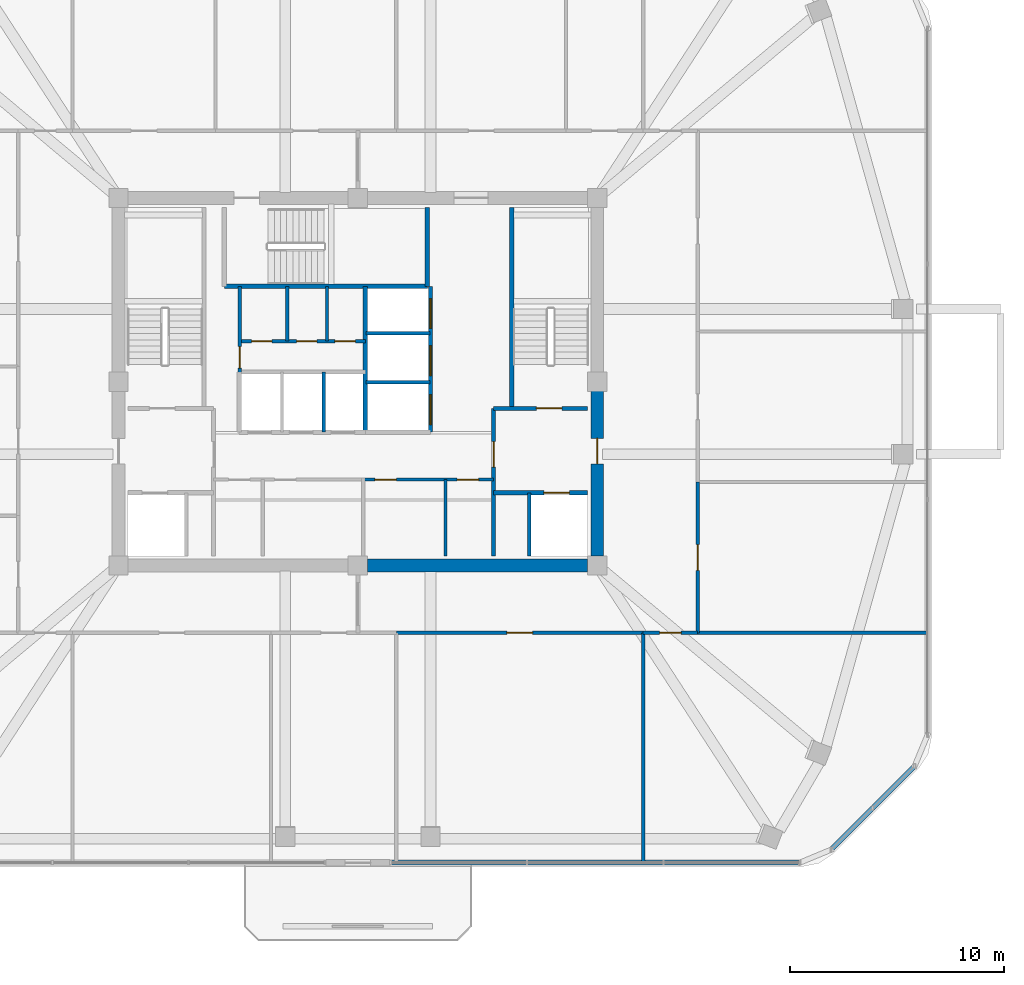
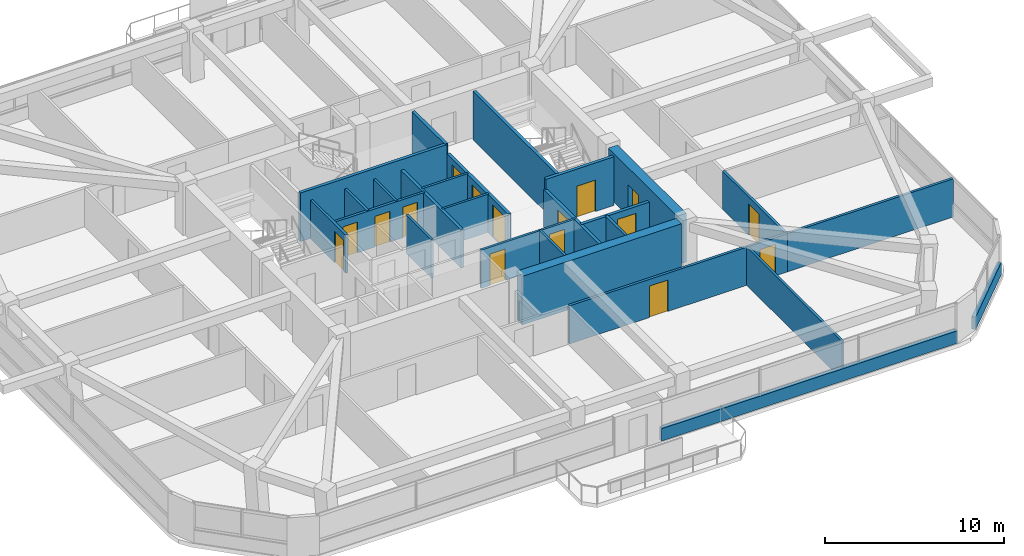
# One storey, part 9 of 13: 27 walls, 16 doors, 16 openings.
"""IFC4 building model written with IfcOpenShell, lengths in metres."""

from ifc_helpers import new_model, si_unit, derived_unit, direction, frame, frame_2d, origin, place, context, subcontext, project, spatial, rectangle, extrude, material, layer, layer_set, type_object, element, fill, save


model = new_model("IFC4")

# Units and contexts
model_context = context("Model", 3, precision=1e-05, world=origin(), true_north=direction((0.0, 1.0)))
body_context = subcontext(model_context, "Body", "Model", "MODEL_VIEW")
ifc_project = project(units=[si_unit("LENGTHUNIT", "METRE"), si_unit("AREAUNIT", "SQUARE_METRE"), si_unit("VOLUMEUNIT", "CUBIC_METRE"), si_unit("PLANEANGLEUNIT", "RADIAN"), si_unit("MASSUNIT", "GRAM", prefix="KILO"), derived_unit("THERMALTRANSMITTANCEUNIT", [(si_unit("POWERUNIT", "WATT"), 1), (si_unit("LENGTHUNIT", "METRE"), -2), (si_unit("THERMODYNAMICTEMPERATUREUNIT", "KELVIN"), -1)])], contexts=[model_context])

# Site, building, storey
site_placement = place(None, origin())
site = spatial("IfcSite", under=ifc_project, at=site_placement, CompositionType="ELEMENT")
building_placement = place(site_placement, origin())
building = spatial("IfcBuilding", under=site, at=building_placement, Name="Koralith Skygarden Medical Center", CompositionType="ELEMENT")
storey_placement = place(building_placement, frame((0.0, 0.0, 217.97998046875)))
storey = spatial("IfcBuildingStorey", under=building, at=storey_placement, Name="L56", CompositionType="ELEMENT", Elevation=217.97998046875)

# Wall, openings, doors
ifc_material_1 = material(Name="Gypsum Board Partition")
ifc_layer_1 = layer(ifc_material_1, 0.14990234375)
ifc_layer_set_1 = layer_set([ifc_layer_1], Name="Gypsum Board Partition")
wall_type_1 = type_object("IfcWallType", Name="Clinical Acoustic Partition 150", PredefinedType="PARTITIONING", material=ifc_layer_set_1)
wall_1_placement = place(storey_placement, frame((37.25, 21.320068359375, 0.0), z_axis=(0.0, 0.0, 1.0), x_axis=(1.0, 0.0, 0.0)))
wall_1 = element("IfcWall", 1, at=wall_1_placement, inside=storey, type_object=wall_type_1, Name="L56 Clinical Acoustic Partition 150 W-CORE-L56-FREED-MR-N", PredefinedType="PARTITIONING", context=body_context, shape_type="SweptSolid", body=[
    extrude(rectangle(XDim=6.10009765625, YDim=0.14990234375, at=frame_2d((3.050048828125, 0.0))), origin(), (0.0, 0.0, 1.0), 2.610107421875),
])
opening_1_placement = place(wall_1_placement, frame((0.550048828125, 0.0, 0.0)))
opening_1 = element("IfcOpeningElement", 2, at=opening_1_placement, cuts=wall_1, Name="Opening D-SUP", PredefinedType="OPENING", context=body_context, shape_type="SweptSolid", body=[
    extrude(rectangle(XDim=1.0, YDim=2.14990234375, at=frame_2d((0.5, 1.074951171875))), frame((0.0, 0.0849609375, 0.0), z_axis=(0.0, -1.0, 0.0), x_axis=(1.0, 0.0, 0.0)), (0.0, 0.0, 1.0), 0.169921875),
])
opening_2_placement = place(wall_1_placement, frame((4.39990234375, 0.0, 0.0)))
opening_2 = element("IfcOpeningElement", 3, at=opening_2_placement, cuts=wall_1, Name="Opening D-SUP", PredefinedType="OPENING", context=body_context, shape_type="SweptSolid", body=[
    extrude(rectangle(XDim=1.0, YDim=2.14990234375, at=frame_2d((0.5, 1.074951171875))), frame((0.0, 0.0849609375, 0.0), z_axis=(0.0, -1.0, 0.0), x_axis=(1.0, 0.0, 0.0)), (0.0, 0.0, 1.0), 0.169921875),
])
ifc_material_2 = material(Name="Aluminium 6063-T6", Category="aluminium")
door_type_1 = type_object("IfcDoorType", Name="Clinical Support Door D-SUP 1000", OperationType="NOTDEFINED", PredefinedType="DOOR", material=ifc_material_2)
door_1_placement = place(opening_1_placement, frame((1.0, 0.0, 0.0), z_axis=(0.0, 0.0, 1.0), x_axis=(-1.0, 0.0, 0.0)))
door_1 = element("IfcDoor", 4, at=door_1_placement, inside=storey, type_object=door_type_1, Name="L56 Satellite Pharmacy Door", OperationType="SINGLE_SWING_LEFT", OverallHeight=2.14990234375, OverallWidth=1.0, PredefinedType="DOOR", context=body_context, shape_type="SweptSolid", body=[
    extrude(rectangle(XDim=1.0, YDim=2.14990234375, at=frame_2d((0.5, 1.074951171875))), frame((0.0, 0.02490234375, 0.0), z_axis=(0.0, -1.0, 0.0), x_axis=(1.0, 0.0, 0.0)), (0.0, 0.0, 1.0), 0.050048828125),
])
fill(opening_1, door_1)
door_2_placement = place(opening_2_placement, frame((1.0, 0.0, 0.0), z_axis=(0.0, 0.0, 1.0), x_axis=(-1.0, 0.0, 0.0)))
door_2 = element("IfcDoor", 5, at=door_2_placement, inside=storey, type_object=door_type_1, Name="L56 Biomedical Equipment Door", OperationType="SINGLE_SWING_RIGHT", OverallHeight=2.14990234375, OverallWidth=1.0, PredefinedType="DOOR", context=body_context, shape_type="SweptSolid", body=[
    extrude(rectangle(XDim=1.0, YDim=2.14990234375, at=frame_2d((0.5, 1.074951171875))), frame((0.0, 0.02490234375, 0.0), z_axis=(0.0, -1.0, 0.0), x_axis=(1.0, 0.0, 0.0)), (0.0, 0.0, 1.0), 0.050048828125),
])
fill(opening_2, door_2)

# Walls
wall_2_placement = place(storey_placement, frame((41.10009765625, 17.75, 0.0), z_axis=(0.0, 0.0, 1.0), x_axis=(0.0, 1.0, 0.0)))
element("IfcWall", 6, at=wall_2_placement, inside=storey, type_object=wall_type_1, Name="L56 Clinical Acoustic Partition 150 W-CORE-L56-FREED-MR-M", PredefinedType="PARTITIONING", context=body_context, shape_type="SweptSolid", body=[
    extrude(rectangle(XDim=3.570068359375, YDim=0.14990234375, at=frame_2d((1.78515625, 0.0))), origin(), (0.0, 0.0, 1.0), 2.610107421875),
])
for number, where, z_axis, x_axis, name in (
    (7, (33.699951171875, 27.800048828125, 0.0), (0.0, 0.0, 1.0), (0.0, 1.0, 0.0), "L56 Clinical Acoustic Partition 150 W-CORE-L56-FLEX-V2A"),
    (8, (35.56005859375, 27.800048828125, 0.0), (0.0, 0.0, 1.0), (0.0, 1.0, 0.0), "L56 Clinical Acoustic Partition 150 W-CORE-L56-FLEX-V2B"),
):
    element("IfcWall", number, at=place(storey_placement, frame(where, z_axis=z_axis, x_axis=x_axis)), inside=storey, type_object=wall_type_1, Name=name, PredefinedType="PARTITIONING", context=body_context, shape_type="SweptSolid", body=[
        extrude(rectangle(XDim=2.56005859375, YDim=0.14990234375, at=frame_2d((1.280029296875, 0.0))), origin(), (0.0, 0.0, 1.0), 2.610107421875),
    ])
wall_3_placement = place(storey_placement, frame((50.35009765625, 14.14990234375, 0.0), z_axis=(0.0, 0.0, 1.0), x_axis=(0.0, -1.0, 0.0)))
element("IfcWall", 9, at=wall_3_placement, inside=storey, type_object=wall_type_1, Name="L56 Clinical Acoustic Partition 150 W-PART-L56-S-04", PredefinedType="PARTITIONING", context=body_context, shape_type="SweptSolid", body=[
    extrude(rectangle(XDim=10.73486328125, YDim=0.14990234375, at=frame_2d((5.367431640625, 0.0))), origin(), (0.0, 0.0, 1.0), 2.610107421875),
])
ifc_layer_2 = layer(ifc_material_1, 0.1650390625)
ifc_layer_set_2 = layer_set([ifc_layer_2], Name="Gypsum Board Partition")
wall_type_2 = type_object("IfcWallType", Name="Clinical Corridor Partition 165", PredefinedType="PARTITIONING", material=ifc_layer_set_2)
wall_4_placement = place(storey_placement, frame((52.89990234375, 14.14990234375, 0.0), z_axis=(0.0, 0.0, 1.0), x_axis=(1.0, 0.0, 0.0)))
element("IfcWall", 10, at=wall_4_placement, inside=storey, type_object=wall_type_2, Name="L56 Clinical Corridor Partition 165 W-WB-L56-SE", PredefinedType="PARTITIONING", context=body_context, shape_type="SweptSolid", body=[
    extrude(rectangle(XDim=10.739013671875, YDim=0.1650390625, at=frame_2d((5.36962890625, 0.0))), origin(), (0.0, 0.0, 1.0), 2.610107421875),
])

# Wall, opening, door
wall_5_placement = place(storey_placement, frame((38.800048828125, 14.14990234375, 0.0), z_axis=(0.0, 0.0, 1.0), x_axis=(1.0, 0.0, 0.0)))
wall_5 = element("IfcWall", 11, at=wall_5_placement, inside=storey, type_object=wall_type_2, Name="L56 Clinical Corridor Partition 165 W-CORR-L56-S-04", PredefinedType="PARTITIONING", context=body_context, shape_type="SweptSolid", body=[
    extrude(rectangle(XDim=11.550048828125, YDim=0.1650390625, at=frame_2d((5.77490234375, 0.0))), origin(), (0.0, 0.0, 1.0), 2.610107421875),
])
opening_3_placement = place(wall_5_placement, frame((5.175048828125, 0.0, 0.0)))
opening_3 = element("IfcOpeningElement", 12, at=opening_3_placement, cuts=wall_5, Name="Opening D-CLN", PredefinedType="OPENING", context=body_context, shape_type="SweptSolid", body=[
    extrude(rectangle(XDim=1.199951171875, YDim=2.14990234375, at=frame_2d((0.60009765625, 1.074951171875))), frame((0.0, 0.092529296875, 0.0), z_axis=(0.0, -1.0, 0.0), x_axis=(1.0, 0.0, 0.0)), (0.0, 0.0, 1.0), 0.18505859375),
])
door_type_2 = type_object("IfcDoorType", Name="Clinical Corridor Door D-CLN 1200", OperationType="NOTDEFINED", PredefinedType="DOOR", material=ifc_material_2)
door_3_placement = place(opening_3_placement, frame((1.199951171875, 0.0, 0.0), z_axis=(0.0, 0.0, 1.0), x_axis=(-1.0, 0.0, 0.0)))
door_3 = element("IfcDoor", 13, at=door_3_placement, inside=storey, type_object=door_type_2, Name="L56 Transplant Coordinator Office 10 Door", OperationType="SINGLE_SWING_LEFT", OverallHeight=2.14990234375, OverallWidth=1.199951171875, PredefinedType="DOOR", context=body_context, shape_type="SweptSolid", body=[
    extrude(rectangle(XDim=1.199951171875, YDim=2.14990234375, at=frame_2d((0.60009765625, 1.074951171875))), frame((0.0, 0.02490234375, 0.0), z_axis=(0.0, -1.0, 0.0), x_axis=(1.0, 0.0, 0.0)), (0.0, 0.0, 1.0), 0.050048828125),
])
fill(opening_3, door_3)

wall_6_placement = place(storey_placement, frame((50.35009765625, 14.14990234375, 0.0), z_axis=(0.0, 0.0, 1.0), x_axis=(1.0, 0.0, 0.0)))
wall_6 = element("IfcWall", 14, at=wall_6_placement, inside=storey, type_object=wall_type_2, Name="L56 Clinical Corridor Partition 165 W-CORR-L56-S-05", PredefinedType="PARTITIONING", context=body_context, shape_type="SweptSolid", body=[
    extrude(rectangle(XDim=2.5498046875, YDim=0.1650390625, at=frame_2d((1.27490234375, 0.0))), origin(), (0.0, 0.0, 1.0), 2.610107421875),
])
opening_4_placement = place(wall_6_placement, frame((0.77490234375, 0.0, 0.0)))
opening_4 = element("IfcOpeningElement", 15, at=opening_4_placement, cuts=wall_6, Name="Opening D-SUP", PredefinedType="OPENING", context=body_context, shape_type="SweptSolid", body=[
    extrude(rectangle(XDim=1.0, YDim=2.14990234375, at=frame_2d((0.5, 1.074951171875))), frame((0.0, 0.092529296875, 0.0), z_axis=(0.0, -1.0, 0.0), x_axis=(1.0, 0.0, 0.0)), (0.0, 0.0, 1.0), 0.18505859375),
])
door_4_placement = place(opening_4_placement, frame((1.0, 0.0, 0.0), z_axis=(0.0, 0.0, 1.0), x_axis=(-1.0, 0.0, 0.0)))
door_4 = element("IfcDoor", 16, at=door_4_placement, inside=storey, type_object=door_type_1, Name="L56 Transplant Family Resource Lounge 11 Door", OperationType="SINGLE_SWING_RIGHT", OverallHeight=2.14990234375, OverallWidth=1.0, PredefinedType="DOOR", context=body_context, shape_type="SweptSolid", body=[
    extrude(rectangle(XDim=1.0, YDim=2.14990234375, at=frame_2d((0.5, 1.074951171875))), frame((0.0, 0.02490234375, 0.0), z_axis=(0.0, -1.0, 0.0), x_axis=(1.0, 0.0, 0.0)), (0.0, 0.0, 1.0), 0.050048828125),
])
fill(opening_4, door_4)

wall_7_placement = place(storey_placement, frame((52.89990234375, 14.14990234375, 0.0), z_axis=(0.0, 0.0, 1.0), x_axis=(0.0, 1.0, 0.0)))
wall_7 = element("IfcWall", 17, at=wall_7_placement, inside=storey, type_object=wall_type_2, Name="L56 Clinical Corridor Partition 165 W-CORR-L56-E-01", PredefinedType="PARTITIONING", context=body_context, shape_type="SweptSolid", body=[
    extrude(rectangle(XDim=7.050048828125, YDim=0.1650390625, at=frame_2d((3.52490234375, 0.0))), origin(), (0.0, 0.0, 1.0), 2.610107421875),
])
opening_5_placement = place(wall_7_placement, frame((2.925048828125, 0.0, 0.0)))
opening_5 = element("IfcOpeningElement", 18, at=opening_5_placement, cuts=wall_7, Name="Opening D-CLN", PredefinedType="OPENING", context=body_context, shape_type="SweptSolid", body=[
    extrude(rectangle(XDim=1.199951171875, YDim=2.14990234375, at=frame_2d((0.60009765625, 1.074951171875))), frame((0.0, 0.092529296875, 0.0), z_axis=(0.0, -1.0, 0.0), x_axis=(1.0, 0.0, 0.0)), (0.0, 0.0, 1.0), 0.18505859375),
])
door_5_placement = place(opening_5_placement, origin())
door_5 = element("IfcDoor", 19, at=door_5_placement, inside=storey, type_object=door_type_2, Name="L56 Transplant Family Resource Lounge 15 Door", OperationType="SINGLE_SWING_RIGHT", OverallHeight=2.14990234375, OverallWidth=1.199951171875, PredefinedType="DOOR", context=body_context, shape_type="SweptSolid", body=[
    extrude(rectangle(XDim=1.199951171875, YDim=2.14990234375, at=frame_2d((0.60009765625, 1.074951171875))), frame((0.0, 0.02490234375, 0.0), z_axis=(0.0, -1.0, 0.0), x_axis=(1.0, 0.0, 0.0)), (0.0, 0.0, 1.0), 0.050048828125),
])
fill(opening_5, door_5)

ifc_layer_3 = layer(ifc_material_1, 0.199951171875)
ifc_layer_set_3 = layer_set([ifc_layer_3], Name="Gypsum Board Partition")
wall_type_3 = type_object("IfcWallType", Name="Fire Shaft Wall 200", PredefinedType="SOLIDWALL", material=ifc_layer_set_3)
wall_8_placement = place(storey_placement, frame((43.35009765625, 20.699951171875, 0.0), z_axis=(0.0, 0.0, 1.0), x_axis=(1.0, 0.0, 0.0)))
wall_8 = element("IfcWall", 20, at=wall_8_placement, inside=storey, type_object=wall_type_3, Name="L56 Fire Shaft Wall 200 W-CORE-L56-FF2-N", PredefinedType="SOLIDWALL", context=body_context, shape_type="SweptSolid", body=[
    extrude(rectangle(XDim=4.39990234375, YDim=0.199951171875, at=frame_2d((2.199951171875, 0.0))), origin(), (0.0, 0.0, 1.0), 2.610107421875),
])
opening_6_placement = place(wall_8_placement, frame((2.35009765625, 0.0, 0.0)))
opening_6 = element("IfcOpeningElement", 21, at=opening_6_placement, cuts=wall_8, Name="Opening LD-FF", PredefinedType="OPENING", context=body_context, shape_type="SweptSolid", body=[
    extrude(rectangle(XDim=1.199951171875, YDim=2.14990234375, at=frame_2d((0.60009765625, 1.074951171875))), frame((0.0, 0.10986328125, 0.0), z_axis=(0.0, -1.0, 0.0), x_axis=(1.0, 0.0, 0.0)), (0.0, 0.0, 1.0), 0.219970703125),
])
ifc_material_3 = material(Name="Steel ASTM A500 Grade C", Category="steel")
door_type_3 = type_object("IfcDoorType", Name="Fire Lift Sliding Landing Door LD-FF 1200", OperationType="NOTDEFINED", PredefinedType="DOOR", material=ifc_material_3)
door_6_placement = place(opening_6_placement, origin())
door_6 = element("IfcDoor", 22, at=door_6_placement, inside=storey, type_object=door_type_3, Name="L56 Fire Service Elevator FF2 Landing Door", OperationType="SLIDING_TO_RIGHT", OverallHeight=2.14990234375, OverallWidth=1.199951171875, PredefinedType="DOOR", context=body_context, shape_type="SweptSolid", body=[
    extrude(rectangle(XDim=1.199951171875, YDim=2.14990234375, at=frame_2d((0.60009765625, 1.074951171875))), frame((0.0, 0.02490234375, 0.0), z_axis=(0.0, -1.0, 0.0), x_axis=(1.0, 0.0, 0.0)), (0.0, 0.0, 1.0), 0.050048828125),
])
fill(opening_6, door_6)

wall_9_placement = place(storey_placement, frame((43.35009765625, 17.75, 0.0), z_axis=(0.0, 0.0, 1.0), x_axis=(0.0, 1.0, 0.0)))
wall_9 = element("IfcWall", 23, at=wall_9_placement, inside=storey, type_object=wall_type_3, Name="L56 Fire Shaft Wall 200 W-CORE-L56-FSAEE-W", PredefinedType="SOLIDWALL", context=body_context, shape_type="SweptSolid", body=[
    extrude(rectangle(XDim=6.89990234375, YDim=0.199951171875, at=frame_2d((3.449951171875, 0.0))), origin(), (0.0, 0.0, 1.0), 2.610107421875),
])
opening_7_placement = place(wall_9_placement, frame((4.14990234375, 0.0, 0.0)))
opening_7 = element("IfcOpeningElement", 24, at=opening_7_placement, cuts=wall_9, Name="Opening D-ST60", PredefinedType="OPENING", context=body_context, shape_type="SweptSolid", body=[
    extrude(rectangle(XDim=1.199951171875, YDim=2.14990234375, at=frame_2d((0.60009765625, 1.074951171875))), frame((0.0, 0.10986328125, 0.0), z_axis=(0.0, -1.0, 0.0), x_axis=(1.0, 0.0, 0.0)), (0.0, 0.0, 1.0), 0.219970703125),
])
door_type_4 = type_object("IfcDoorType", Name="Smokeproof Stair Fire Door FD60S 1200", OperationType="NOTDEFINED", PredefinedType="DOOR", material=ifc_material_3)
door_7_placement = place(opening_7_placement, frame((1.199951171875, 0.0, 0.0), z_axis=(0.0, 0.0, 1.0), x_axis=(-1.0, 0.0, 0.0)))
door_7 = element("IfcDoor", 25, at=door_7_placement, inside=storey, type_object=door_type_4, Name="L56 East Firefighting Lobby Inner Fire Door", OperationType="SINGLE_SWING_RIGHT", OverallHeight=2.14990234375, OverallWidth=1.199951171875, PredefinedType="DOOR", context=body_context, shape_type="SweptSolid", body=[
    extrude(rectangle(XDim=1.199951171875, YDim=2.14990234375, at=frame_2d((0.60009765625, 1.074951171875))), frame((0.0, 0.02490234375, 0.0), z_axis=(0.0, -1.0, 0.0), x_axis=(1.0, 0.0, 0.0)), (0.0, 0.0, 1.0), 0.050048828125),
])
fill(opening_7, door_7)

# Wall
wall_10_placement = place(storey_placement, frame((37.35009765625, 23.5400390625, 0.0), z_axis=(0.0, 0.0, 1.0), x_axis=(0.0, 1.0, 0.0)))
element("IfcWall", 26, at=wall_10_placement, inside=storey, type_object=wall_type_3, Name="L56 Fire Shaft Wall 200 W-CORE-L56-SV-W", PredefinedType="SOLIDWALL", context=body_context, shape_type="SweptSolid", body=[
    extrude(rectangle(XDim=6.820068359375, YDim=0.199951171875, at=frame_2d((3.41015625, 0.0))), origin(), (0.0, 0.0, 1.0), 2.610107421875),
])

# Wall, openings, doors
wall_11_placement = place(storey_placement, frame((40.39990234375, 23.5400390625, 0.0), z_axis=(0.0, 0.0, 1.0), x_axis=(0.0, 1.0, 0.0)))
wall_11 = element("IfcWall", 27, at=wall_11_placement, inside=storey, type_object=wall_type_3, Name="L56 Fire Shaft Wall 200 W-CORE-L56-SV-E", PredefinedType="SOLIDWALL", context=body_context, shape_type="SweptSolid", body=[
    extrude(rectangle(XDim=6.820068359375, YDim=0.199951171875, at=frame_2d((3.41015625, 0.0))), origin(), (0.0, 0.0, 1.0), 2.610107421875),
])
opening_8_placement = place(wall_11_placement, frame((0.35009765625, 0.0, 0.0)))
opening_8 = element("IfcOpeningElement", 28, at=opening_8_placement, cuts=wall_11, Name="Opening LD-SV", PredefinedType="OPENING", context=body_context, shape_type="SweptSolid", body=[
    extrude(rectangle(XDim=1.39990234375, YDim=2.199951171875, at=frame_2d((0.699951171875, 1.10009765625))), frame((0.0, 0.10986328125, 0.0), z_axis=(0.0, -1.0, 0.0), x_axis=(1.0, 0.0, 0.0)), (0.0, 0.0, 1.0), 0.219970703125),
])
opening_9_placement = place(wall_11_placement, frame((2.64990234375, 0.0, 0.0)))
opening_9 = element("IfcOpeningElement", 29, at=opening_9_placement, cuts=wall_11, Name="Opening LD-SV", PredefinedType="OPENING", context=body_context, shape_type="SweptSolid", body=[
    extrude(rectangle(XDim=1.39990234375, YDim=2.199951171875, at=frame_2d((0.699951171875, 1.10009765625))), frame((0.0, 0.10986328125, 0.0), z_axis=(0.0, -1.0, 0.0), x_axis=(1.0, 0.0, 0.0)), (0.0, 0.0, 1.0), 0.219970703125),
])
opening_10_placement = place(wall_11_placement, frame((4.85009765625, 0.0, 0.0)))
opening_10 = element("IfcOpeningElement", 30, at=opening_10_placement, cuts=wall_11, Name="Opening LD-SV", PredefinedType="OPENING", context=body_context, shape_type="SweptSolid", body=[
    extrude(rectangle(XDim=1.39990234375, YDim=2.199951171875, at=frame_2d((0.699951171875, 1.10009765625))), frame((0.0, 0.10986328125, 0.0), z_axis=(0.0, -1.0, 0.0), x_axis=(1.0, 0.0, 0.0)), (0.0, 0.0, 1.0), 0.219970703125),
])
door_type_5 = type_object("IfcDoorType", Name="Bed Lift Sliding Landing Door LD-SV 1400", OperationType="NOTDEFINED", PredefinedType="DOOR", material=ifc_material_3)
door_8_placement = place(opening_8_placement, origin())
door_8 = element("IfcDoor", 31, at=door_8_placement, inside=storey, type_object=door_type_5, Name="L56 Bed Elevator BD1 Landing Door", OperationType="SLIDING_TO_LEFT", OverallHeight=2.199951171875, OverallWidth=1.39990234375, PredefinedType="DOOR", context=body_context, shape_type="SweptSolid", body=[
    extrude(rectangle(XDim=1.39990234375, YDim=2.199951171875, at=frame_2d((0.699951171875, 1.10009765625))), frame((0.0, 0.02490234375, 0.0), z_axis=(0.0, -1.0, 0.0), x_axis=(1.0, 0.0, 0.0)), (0.0, 0.0, 1.0), 0.050048828125),
])
fill(opening_8, door_8)
door_9_placement = place(opening_9_placement, origin())
door_9 = element("IfcDoor", 32, at=door_9_placement, inside=storey, type_object=door_type_5, Name="L56 Service Elevator BD2 Landing Door", OperationType="SLIDING_TO_LEFT", OverallHeight=2.199951171875, OverallWidth=1.39990234375, PredefinedType="DOOR", context=body_context, shape_type="SweptSolid", body=[
    extrude(rectangle(XDim=1.39990234375, YDim=2.199951171875, at=frame_2d((0.699951171875, 1.10009765625))), frame((0.0, 0.02490234375, 0.0), z_axis=(0.0, -1.0, 0.0), x_axis=(1.0, 0.0, 0.0)), (0.0, 0.0, 1.0), 0.050048828125),
])
fill(opening_9, door_9)
door_10_placement = place(opening_10_placement, origin())
door_10 = element("IfcDoor", 33, at=door_10_placement, inside=storey, type_object=door_type_5, Name="L56 Trauma Elevator TR1 Landing Door", OperationType="SLIDING_TO_RIGHT", OverallHeight=2.199951171875, OverallWidth=1.39990234375, PredefinedType="DOOR", context=body_context, shape_type="SweptSolid", body=[
    extrude(rectangle(XDim=1.39990234375, YDim=2.199951171875, at=frame_2d((0.699951171875, 1.10009765625))), frame((0.0, 0.02490234375, 0.0), z_axis=(0.0, -1.0, 0.0), x_axis=(1.0, 0.0, 0.0)), (0.0, 0.0, 1.0), 0.050048828125),
])
fill(opening_10, door_10)

# Walls
ifc_material_4 = material(Name="Warm Oolitic Limestone Cladding", Category="masonry")
ifc_layer_4 = layer(ifc_material_4, 0.239990234375)
ifc_layer_set_4 = layer_set([ifc_layer_4], Name="Warm Oolitic Limestone Cladding")
wall_type_4 = type_object("IfcWallType", Name="Limestone Spandrel Sill Backup Wall 240", PredefinedType="SOLIDWALL", material=ifc_layer_set_4)
wall_12_placement = place(storey_placement, frame((38.5400390625, 3.39501953125, 0.0), z_axis=(0.0, 0.0, 1.0), x_axis=(1.0, 0.0, 0.0)))
element("IfcWall", 34, at=wall_12_placement, inside=storey, type_object=wall_type_4, Name="L56 Sill Spandrel S-R", PredefinedType="SOLIDWALL", context=body_context, shape_type="SweptSolid", body=[
    extrude(rectangle(XDim=19.14404296875, YDim=0.239990234375, at=frame_2d((9.572021484375, 0.0))), origin(), (0.0, 0.0, 1.0), 0.85009765625),
])
wall_13_placement = place(storey_placement, frame((59.135009765625, 3.9970703125, 0.0), z_axis=(0.0, 0.0, 1.0), x_axis=(0.707128783731, 0.707084777957, 0.0)))
element("IfcWall", 35, at=wall_13_placement, inside=storey, type_object=wall_type_4, Name="L56 Sill Spandrel SE", PredefinedType="SOLIDWALL", context=body_context, shape_type="SweptSolid", body=[
    extrude(rectangle(XDim=5.5478515625, YDim=0.239990234375, at=frame_2d((2.77392578125, 0.0))), origin(), (0.0, 0.0, 1.0), 0.85009765625),
])

# Wall, opening, door
ifc_layer_5 = layer(ifc_material_1, 0.1650390625)
ifc_layer_set_5 = layer_set([ifc_layer_5], Name="Gypsum Board Partition")
wall_type_5 = type_object("IfcWallType", Name="Plumbing Wet Wall 165", PredefinedType="PLUMBINGWALL", material=ifc_layer_set_5)
wall_14_placement = place(storey_placement, frame((31.47998046875, 26.320068359375, 0.0), z_axis=(0.0, 0.0, 1.0), x_axis=(0.0, 1.0, 0.0)))
wall_14 = element("IfcWall", 36, at=wall_14_placement, inside=storey, type_object=wall_type_5, Name="L56 Plumbing Wet Wall 165 W-CORE-L56-FLEX-W", PredefinedType="PLUMBINGWALL", context=body_context, shape_type="SweptSolid", body=[
    extrude(rectangle(XDim=4.0400390625, YDim=0.1650390625, at=frame_2d((2.02001953125, 0.0))), origin(), (0.0, 0.0, 1.0), 2.610107421875),
])
opening_11_placement = place(wall_14_placement, frame((0.219970703125, 0.0, 0.0)))
opening_11 = element("IfcOpeningElement", 37, at=opening_11_placement, cuts=wall_14, Name="Opening D-SUP", PredefinedType="OPENING", context=body_context, shape_type="SweptSolid", body=[
    extrude(rectangle(XDim=1.0, YDim=2.14990234375, at=frame_2d((0.5, 1.074951171875))), frame((0.0, 0.092529296875, 0.0), z_axis=(0.0, -1.0, 0.0), x_axis=(1.0, 0.0, 0.0)), (0.0, 0.0, 1.0), 0.18505859375),
])
door_11_placement = place(opening_11_placement, frame((1.0, 0.0, 0.0), z_axis=(0.0, 0.0, 1.0), x_axis=(-1.0, 0.0, 0.0)))
door_11 = element("IfcDoor", 38, at=door_11_placement, inside=storey, type_object=door_type_1, Name="L56 Core Service Alcove Door", OperationType="SINGLE_SWING_LEFT", OverallHeight=2.14990234375, OverallWidth=1.0, PredefinedType="DOOR", context=body_context, shape_type="SweptSolid", body=[
    extrude(rectangle(XDim=1.0, YDim=2.14990234375, at=frame_2d((0.5, 1.074951171875))), frame((0.0, 0.02490234375, 0.0), z_axis=(0.0, -1.0, 0.0), x_axis=(1.0, 0.0, 0.0)), (0.0, 0.0, 1.0), 0.050048828125),
])
fill(opening_11, door_11)

# Wall, openings, doors
wall_15_placement = place(storey_placement, frame((31.47998046875, 27.800048828125, 0.0), z_axis=(0.0, 0.0, 1.0), x_axis=(1.0, 0.0, 0.0)))
wall_15 = element("IfcWall", 39, at=wall_15_placement, inside=storey, type_object=wall_type_5, Name="L56 Plumbing Wet Wall 165 W-CORE-L56-FLEX-H2", PredefinedType="PLUMBINGWALL", context=body_context, shape_type="SweptSolid", body=[
    extrude(rectangle(XDim=5.8701171875, YDim=0.1650390625, at=frame_2d((2.93505859375, 0.0))), origin(), (0.0, 0.0, 1.0), 2.610107421875),
])
opening_12_placement = place(wall_15_placement, frame((0.550048828125, 0.0, 0.0)))
opening_12 = element("IfcOpeningElement", 40, at=opening_12_placement, cuts=wall_15, Name="Opening D-WC", PredefinedType="OPENING", context=body_context, shape_type="SweptSolid", body=[
    extrude(rectangle(XDim=0.949951171875, YDim=2.10009765625, at=frame_2d((0.47509765625, 1.050048828125))), frame((0.0, 0.092529296875, 0.0), z_axis=(0.0, -1.0, 0.0), x_axis=(1.0, 0.0, 0.0)), (0.0, 0.0, 1.0), 0.18505859375),
])
opening_13_placement = place(wall_15_placement, frame((2.64990234375, 0.0, 0.0)))
opening_13 = element("IfcOpeningElement", 41, at=opening_13_placement, cuts=wall_15, Name="Opening D-WC", PredefinedType="OPENING", context=body_context, shape_type="SweptSolid", body=[
    extrude(rectangle(XDim=0.949951171875, YDim=2.10009765625, at=frame_2d((0.47509765625, 1.050048828125))), frame((0.0, 0.092529296875, 0.0), z_axis=(0.0, -1.0, 0.0), x_axis=(1.0, 0.0, 0.0)), (0.0, 0.0, 1.0), 0.18505859375),
])
opening_14_placement = place(wall_15_placement, frame((4.449951171875, 0.0, 0.0)))
opening_14 = element("IfcOpeningElement", 42, at=opening_14_placement, cuts=wall_15, Name="Opening D-WC", PredefinedType="OPENING", context=body_context, shape_type="SweptSolid", body=[
    extrude(rectangle(XDim=0.949951171875, YDim=2.10009765625, at=frame_2d((0.47509765625, 1.050048828125))), frame((0.0, 0.092529296875, 0.0), z_axis=(0.0, -1.0, 0.0), x_axis=(1.0, 0.0, 0.0)), (0.0, 0.0, 1.0), 0.18505859375),
])
door_type_6 = type_object("IfcDoorType", Name="Accessible Toilet Door D-WC 950", OperationType="NOTDEFINED", PredefinedType="DOOR", material=ifc_material_2)
door_12_placement = place(opening_12_placement, origin())
door_12 = element("IfcDoor", 43, at=door_12_placement, inside=storey, type_object=door_type_6, Name="L56 Core Accessible WC Door", OperationType="SINGLE_SWING_LEFT", OverallHeight=2.10009765625, OverallWidth=0.949951171875, PredefinedType="DOOR", context=body_context, shape_type="SweptSolid", body=[
    extrude(rectangle(XDim=0.949951171875, YDim=2.10009765625, at=frame_2d((0.47509765625, 1.050048828125))), frame((0.0, 0.02490234375, 0.0), z_axis=(0.0, -1.0, 0.0), x_axis=(1.0, 0.0, 0.0)), (0.0, 0.0, 1.0), 0.050048828125),
])
fill(opening_12, door_12)
door_13_placement = place(opening_13_placement, origin())
door_13 = element("IfcDoor", 44, at=door_13_placement, inside=storey, type_object=door_type_6, Name="L56 Soiled Sluice Door", OperationType="SINGLE_SWING_LEFT", OverallHeight=2.10009765625, OverallWidth=0.949951171875, PredefinedType="DOOR", context=body_context, shape_type="SweptSolid", body=[
    extrude(rectangle(XDim=0.949951171875, YDim=2.10009765625, at=frame_2d((0.47509765625, 1.050048828125))), frame((0.0, 0.02490234375, 0.0), z_axis=(0.0, -1.0, 0.0), x_axis=(1.0, 0.0, 0.0)), (0.0, 0.0, 1.0), 0.050048828125),
])
fill(opening_13, door_13)
door_14_placement = place(opening_14_placement, origin())
door_14 = element("IfcDoor", 45, at=door_14_placement, inside=storey, type_object=door_type_6, Name="L56 Clean Linen Store Door", OperationType="SINGLE_SWING_RIGHT", OverallHeight=2.10009765625, OverallWidth=0.949951171875, PredefinedType="DOOR", context=body_context, shape_type="SweptSolid", body=[
    extrude(rectangle(XDim=0.949951171875, YDim=2.10009765625, at=frame_2d((0.47509765625, 1.050048828125))), frame((0.0, 0.02490234375, 0.0), z_axis=(0.0, -1.0, 0.0), x_axis=(1.0, 0.0, 0.0)), (0.0, 0.0, 1.0), 0.050048828125),
])
fill(opening_14, door_14)

# Walls
ifc_layer_6 = layer(ifc_material_1, 0.14990234375)
ifc_layer_set_6 = layer_set([ifc_layer_6], Name="Gypsum Board Partition")
wall_type_6 = type_object("IfcWallType", Name="Shaft Partition Wall 150", PredefinedType="PARTITIONING", material=ifc_layer_set_6)
wall_16_placement = place(storey_placement, frame((45.02001953125, 17.75, 0.0), z_axis=(0.0, 0.0, 1.0), x_axis=(0.0, 1.0, 0.0)))
element("IfcWall", 46, at=wall_16_placement, inside=storey, type_object=wall_type_6, Name="L56 Shaft Partition Wall 150 W-CORE-L56-RSRE-DIV", PredefinedType="PARTITIONING", context=body_context, shape_type="SweptSolid", body=[
    extrude(rectangle(XDim=2.949951171875, YDim=0.14990234375, at=frame_2d((1.47509765625, 0.0))), origin(), (0.0, 0.0, 1.0), 2.610107421875),
])
wall_17_placement = place(storey_placement, frame((35.39990234375, 23.5400390625, 0.0), z_axis=(0.0, 0.0, 1.0), x_axis=(0.0, 1.0, 0.0)))
element("IfcWall", 47, at=wall_17_placement, inside=storey, type_object=wall_type_6, Name="L56 Shaft Partition Wall 150 W-CORE-L56-PH-D2", PredefinedType="PARTITIONING", context=body_context, shape_type="SweptSolid", body=[
    extrude(rectangle(XDim=2.81005859375, YDim=0.14990234375, at=frame_2d((1.405029296875, 0.0))), origin(), (0.0, 0.0, 1.0), 2.610107421875),
])
for number, where, z_axis, x_axis, name in (
    (48, (37.3701171875, 25.8701171875, 0.0), (0.0, 0.0, 1.0), (1.0, 0.0, 0.0), "L56 Shaft Partition Wall 150 W-CORE-L56-SV-D1"),
    (49, (37.3701171875, 28.169921875, 0.0), (0.0, 0.0, 1.0), (1.0, 0.0, 0.0), "L56 Shaft Partition Wall 150 W-CORE-L56-SV-D2"),
):
    element("IfcWall", number, at=place(storey_placement, frame(where, z_axis=z_axis, x_axis=x_axis)), inside=storey, type_object=wall_type_6, Name=name, PredefinedType="PARTITIONING", context=body_context, shape_type="SweptSolid", body=[
        extrude(rectangle(XDim=3.009765625, YDim=0.14990234375, at=frame_2d((1.5048828125, 0.0))), origin(), (0.0, 0.0, 1.0), 2.610107421875),
    ])
ifc_material_5 = material(Name="Concrete C45/55", Category="concrete")
ifc_layer_7 = layer(ifc_material_5, 0.199951171875)
ifc_layer_set_7 = layer_set([ifc_layer_7], Name="Concrete C45/55")
wall_type_7 = type_object("IfcWallType", Name="Structural Stair Shaft Wall 200", PredefinedType="SHEAR", material=ifc_layer_set_7)
wall_18_placement = place(storey_placement, frame((44.199951171875, 24.64990234375, 0.0), z_axis=(0.0, 0.0, 1.0), x_axis=(0.0, 1.0, 0.0)))
element("IfcWall", 50, at=wall_18_placement, inside=storey, type_object=wall_type_7, Name="L56 Structural Stair Shaft Wall 200 W-CORE-L56-ST2-W", PredefinedType="SHEAR", context=body_context, shape_type="SweptSolid", body=[
    extrude(rectangle(XDim=9.400146484375, YDim=0.199951171875, at=frame_2d((4.7001953125, 0.0))), origin(), (0.0, 0.0, 1.0), 3.320068359375),
])

# Wall, opening, door
wall_19_placement = place(storey_placement, frame((43.35009765625, 24.64990234375, 0.0), z_axis=(0.0, 0.0, 1.0), x_axis=(1.0, 0.0, 0.0)))
wall_19 = element("IfcWall", 51, at=wall_19_placement, inside=storey, type_object=wall_type_7, Name="L56 Structural Stair Shaft Wall 200 W-CORE-L56-ST2-S", PredefinedType="SHEAR", context=body_context, shape_type="SweptSolid", body=[
    extrude(rectangle(XDim=4.39990234375, YDim=0.199951171875, at=frame_2d((2.199951171875, 0.0))), origin(), (0.0, 0.0, 1.0), 3.320068359375),
])
opening_15_placement = place(wall_19_placement, frame((2.0, 0.0, 0.0)))
opening_15 = element("IfcOpeningElement", 52, at=opening_15_placement, cuts=wall_19, Name="Opening D-ST60", PredefinedType="OPENING", context=body_context, shape_type="SweptSolid", body=[
    extrude(rectangle(XDim=1.199951171875, YDim=2.14990234375, at=frame_2d((0.60009765625, 1.074951171875))), frame((0.0, 0.10986328125, 0.0), z_axis=(0.0, -1.0, 0.0), x_axis=(1.0, 0.0, 0.0)), (0.0, 0.0, 1.0), 0.219970703125),
])
door_15_placement = place(opening_15_placement, origin())
door_15 = element("IfcDoor", 53, at=door_15_placement, inside=storey, type_object=door_type_4, Name="L56 Exit Stair ST2 Fire Door", OperationType="SINGLE_SWING_RIGHT", OverallHeight=2.14990234375, OverallWidth=1.199951171875, PredefinedType="DOOR", context=body_context, shape_type="SweptSolid", body=[
    extrude(rectangle(XDim=1.199951171875, YDim=2.14990234375, at=frame_2d((0.60009765625, 1.074951171875))), frame((0.0, 0.02490234375, 0.0), z_axis=(0.0, -1.0, 0.0), x_axis=(1.0, 0.0, 0.0)), (0.0, 0.0, 1.0), 0.050048828125),
])
fill(opening_15, door_15)

# Walls
wall_20_placement = place(storey_placement, frame((30.75, 30.360107421875, 0.0), z_axis=(0.0, 0.0, 1.0), x_axis=(1.0, 0.0, 0.0)))
element("IfcWall", 54, at=wall_20_placement, inside=storey, type_object=wall_type_7, Name="L56 Structural Stair Shaft Wall 200 W-CORE-L56-ST3-S", PredefinedType="SHEAR", context=body_context, shape_type="SweptSolid", body=[
    extrude(rectangle(XDim=9.5, YDim=0.199951171875, at=frame_2d((4.75, 0.0))), origin(), (0.0, 0.0, 1.0), 3.320068359375),
])
wall_21_placement = place(storey_placement, frame((40.25, 30.360107421875, 0.0), z_axis=(0.0, 0.0, 1.0), x_axis=(0.0, 1.0, 0.0)))
element("IfcWall", 55, at=wall_21_placement, inside=storey, type_object=wall_type_7, Name="L56 Structural Stair Shaft Wall 200 W-CORE-L56-ST3-E", PredefinedType="SHEAR", context=body_context, shape_type="SweptSolid", body=[
    extrude(rectangle(XDim=3.68994140625, YDim=0.199951171875, at=frame_2d((1.844970703125, 0.0))), origin(), (0.0, 0.0, 1.0), 3.320068359375),
])
ifc_material_6 = material(Name="Concrete C55/67", Category="concrete")
ifc_layer_8 = layer(ifc_material_6, 0.60009765625)
ifc_layer_set_8 = layer_set([ifc_layer_8], Name="Concrete C55/67")
wall_type_8 = type_object("IfcWallType", Name="Upper Core Shear Wall 600", PredefinedType="SHEAR", material=ifc_layer_set_8)
wall_22_placement = place(storey_placement, frame((37.445068359375, 17.300048828125, 0.0), z_axis=(0.0, 0.0, 1.0), x_axis=(1.0, 0.0, 0.0)))
element("IfcWall", 56, at=wall_22_placement, inside=storey, type_object=wall_type_8, Name="L56 Core Shear Wall Segment 2", PredefinedType="SHEAR", context=body_context, shape_type="SweptSolid", body=[
    extrude(rectangle(XDim=10.309814453125, YDim=0.60009765625, at=frame_2d((5.15478515625, 0.0))), origin(), (0.0, 0.0, 1.0), 3.320068359375),
])

# Wall, opening, door
wall_23_placement = place(storey_placement, frame((48.199951171875, 17.7451171875, 0.0), z_axis=(0.0, 0.0, 1.0), x_axis=(0.0, 1.0, 0.0)))
wall_23 = element("IfcWall", 57, at=wall_23_placement, inside=storey, type_object=wall_type_8, Name="L56 Core Shear Wall Segment 3", PredefinedType="SHEAR", context=body_context, shape_type="SweptSolid", body=[
    extrude(rectangle(XDim=7.7099609375, YDim=0.60009765625, at=frame_2d((3.85498046875, 0.0))), origin(), (0.0, 0.0, 1.0), 3.320068359375),
])
opening_16_placement = place(wall_23_placement, frame((4.304931640625, 0.0, 0.0)))
opening_16 = element("IfcOpeningElement", 58, at=opening_16_placement, cuts=wall_23, Name="Opening D-ST60", PredefinedType="OPENING", context=body_context, shape_type="SweptSolid", body=[
    extrude(rectangle(XDim=1.199951171875, YDim=2.14990234375, at=frame_2d((0.60009765625, 1.074951171875))), frame((0.0, 0.31005859375, 0.0), z_axis=(0.0, -1.0, 0.0), x_axis=(1.0, 0.0, 0.0)), (0.0, 0.0, 1.0), 0.6201171875),
])
door_16_placement = place(opening_16_placement, frame((1.199951171875, 0.0, 0.0), z_axis=(0.0, 0.0, 1.0), x_axis=(-1.0, 0.0, 0.0)))
door_16 = element("IfcDoor", 59, at=door_16_placement, inside=storey, type_object=door_type_4, Name="L56 East Corridor to Firefighting Lobby Door", OperationType="SINGLE_SWING_RIGHT", OverallHeight=2.14990234375, OverallWidth=1.199951171875, PredefinedType="DOOR", context=body_context, shape_type="SweptSolid", body=[
    extrude(rectangle(XDim=1.199951171875, YDim=2.14990234375, at=frame_2d((0.60009765625, 1.074951171875))), frame((0.0, 0.02490234375, 0.0), z_axis=(0.0, -1.0, 0.0), x_axis=(1.0, 0.0, 0.0)), (0.0, 0.0, 1.0), 0.050048828125),
])
fill(opening_16, door_16)

save(model, "model.ifc")
